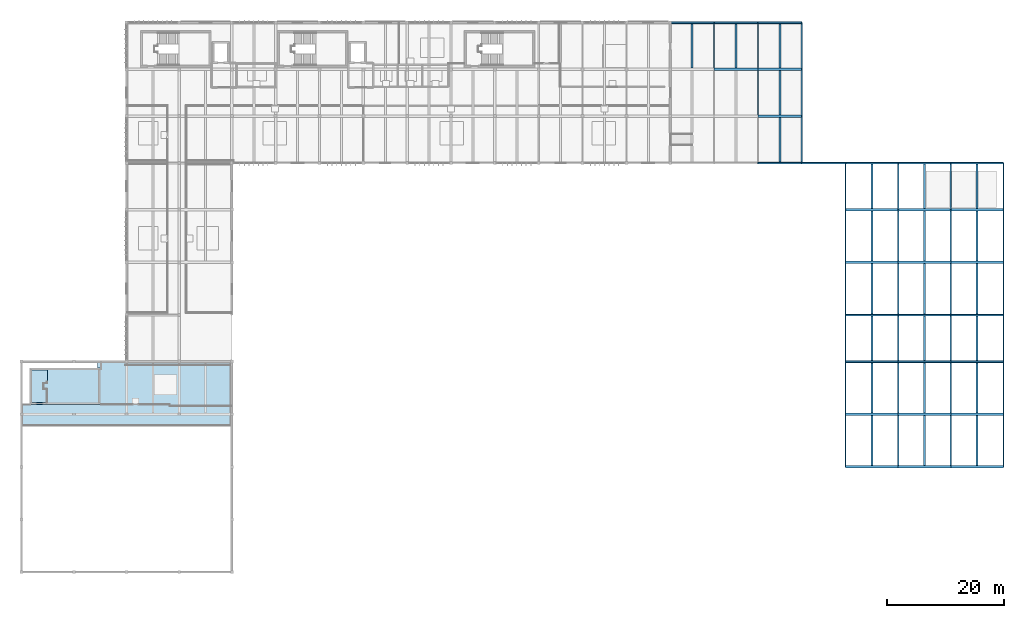
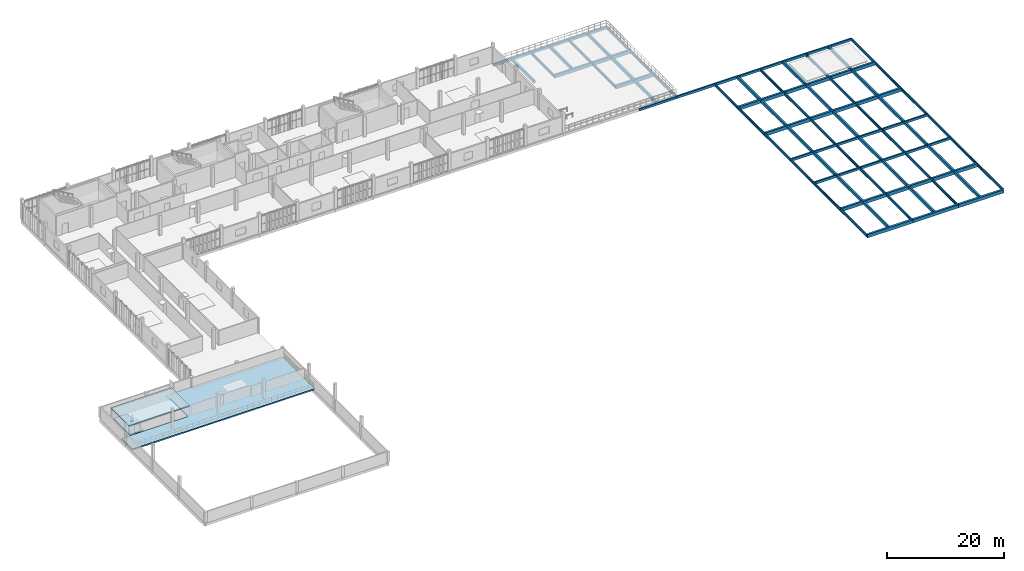
# One storey, part 14 of 27: 82 beams, 3 slabs.
"""IFC4 building model written with IfcOpenShell, lengths in metres."""

from ifc_helpers import new_model, si_unit, direction, frame, origin, origin_2d, place, context, subcontext, project, spatial, polyline, rectangle, i_section, outline, extrude, material, layer, layer_set, material_profile, profile_set, type_object, element, save


model = new_model("IFC4")

# Units and contexts
model_context = context("Model", 3, precision=1e-05, world=origin(), true_north=direction((0.0, 1.0)))
body_context = subcontext(model_context, "Body", "Model", "MODEL_VIEW")
ifc_project = project(units=[si_unit("LENGTHUNIT", "METRE"), si_unit("AREAUNIT", "SQUARE_METRE"), si_unit("VOLUMEUNIT", "CUBIC_METRE"), si_unit("PLANEANGLEUNIT", "RADIAN"), si_unit("MASSUNIT", "GRAM", prefix="KILO")], contexts=[model_context])

# Site, building, storey
site_placement = place(None, origin())
site = spatial("IfcSite", under=ifc_project, at=site_placement, CompositionType="ELEMENT")
building_placement = place(site_placement, origin())
building = spatial("IfcBuilding", under=site, at=building_placement, Name="Vourika Railside Aquatics Centre", CompositionType="ELEMENT")
storey_placement = place(building_placement, frame((0.0, 0.0, 13.5)))
storey = spatial("IfcBuildingStorey", under=building, at=storey_placement, Name="L03", CompositionType="ELEMENT", Elevation=13.5)

# Beams
ifc_material_1 = material(Name="Concrete C35/45", Category="concrete")
ifc_material_profile_1 = material_profile(ifc_material_1, rectangle(XDim=0.39990234375, YDim=0.699951171875, at=origin_2d()), Name="RC 400x700")
ifc_profile_set_1 = profile_set([ifc_material_profile_1], Name="Concrete C35/45")
beam_type_1 = type_object("IfcBeamType", Name="BM-GIRD-400x700", PredefinedType="BEAM", material=ifc_profile_set_1)
for number, where, z_axis, x_axis, name in (
    (1, (141.0, 40.0, -0.610107421875), (1.0, 0.0, 0.0), (0.0, 1.0, 0.0), "Floor Beam GX-L03-005"),
    (2, (150.0, 40.0, -0.610107421875), (1.0, 0.0, 0.0), (0.0, 1.0, 0.0), "Floor Beam GX-L03-006"),
    (3, (159.0, 40.0, -0.610107421875), (1.0, 0.0, 0.0), (0.0, 1.0, 0.0), "Floor Beam GX-L03-007"),
    (4, (141.0, 49.0, -0.610107421875), (1.0, 0.0, 0.0), (0.0, 1.0, 0.0), "Floor Beam GX-L03-012"),
    (5, (150.0, 49.0, -0.610107421875), (1.0, 0.0, 0.0), (0.0, 1.0, 0.0), "Floor Beam GX-L03-013"),
    (6, (159.0, 49.0, -0.610107421875), (1.0, 0.0, 0.0), (0.0, 1.0, 0.0), "Floor Beam GX-L03-014"),
    (7, (141.0, 75.0, -0.610107421875), (1.0, 0.0, 0.0), (0.0, 1.0, 0.0), "Floor Beam GX-L03-028"),
    (8, (150.0, 75.0, -0.610107421875), (1.0, 0.0, 0.0), (0.0, 1.0, 0.0), "Floor Beam GX-L03-029"),
    (9, (159.0, 75.0, -0.610107421875), (1.0, 0.0, 0.0), (0.0, 1.0, 0.0), "Floor Beam GX-L03-030"),
    (10, (141.0, 84.0, -0.610107421875), (1.0, 0.0, 0.0), (0.0, 1.0, 0.0), "Floor Beam GX-L03-033"),
    (11, (150.0, 84.0, -0.610107421875), (1.0, 0.0, 0.0), (0.0, 1.0, 0.0), "Floor Beam GX-L03-034"),
    (12, (159.0, 84.0, -0.610107421875), (1.0, 0.0, 0.0), (0.0, 1.0, 0.0), "Floor Beam GX-L03-035"),
):
    element("IfcBeam", number, at=place(storey_placement, frame(where, z_axis=z_axis, x_axis=x_axis)), inside=storey, type_object=beam_type_1, Name=name, PredefinedType="BEAM", context=body_context, shape_type="SweptSolid", body=[
        extrude(rectangle(XDim=0.39990234375, YDim=0.699951171875, at=origin_2d()), origin(), (0.0, 0.0, 1.0), 9.0),
    ])
for number, where, z_axis, x_axis, name in (
    (13, (126.0, 100.0, -0.6201171875), (1.0, 0.0, 0.0), (0.0, 1.0, 0.0), "Floor Beam GX-L03-069"),
    (14, (118.5, 108.0, -0.6201171875), (1.0, 0.0, 0.0), (0.0, 1.0, 0.0), "Floor Beam GX-L03-083"),
    (15, (126.0, 108.0, -0.6201171875), (1.0, 0.0, 0.0), (0.0, 1.0, 0.0), "Floor Beam GX-L03-084"),
):
    element("IfcBeam", number, at=place(storey_placement, frame(where, z_axis=z_axis, x_axis=x_axis)), inside=storey, type_object=beam_type_1, Name=name, PredefinedType="BEAM", context=body_context, shape_type="SweptSolid", body=[
        extrude(rectangle(XDim=0.39990234375, YDim=0.699951171875, at=origin_2d()), origin(), (0.0, 0.0, 1.0), 7.5),
    ])
ifc_material_profile_2 = material_profile(ifc_material_1, rectangle(XDim=0.35009765625, YDim=0.60009765625, at=origin_2d()), Name="RC 350x600")
ifc_profile_set_2 = profile_set([ifc_material_profile_2], Name="Concrete C35/45")
beam_type_2 = type_object("IfcBeamType", Name="BM-SEC-350x600", PredefinedType="JOIST", material=ifc_profile_set_2)
for number, where, z_axis, x_axis, name in (
    (16, (145.5, 40.199951171875, -0.56005859375), (0.0, 1.0, 0.0), (-1.0, 0.0, 0.0), "Secondary Joist JY-L03-188"),
    (17, (154.5, 40.199951171875, -0.56005859375), (0.0, 1.0, 0.0), (-1.0, 0.0, 0.0), "Secondary Joist JY-L03-189"),
    (18, (163.5, 40.199951171875, -0.56005859375), (0.0, 1.0, 0.0), (-1.0, 0.0, 0.0), "Secondary Joist JY-L03-190"),
):
    element("IfcBeam", number, at=place(storey_placement, frame(where, z_axis=z_axis, x_axis=x_axis)), inside=storey, type_object=beam_type_2, Name=name, PredefinedType="JOIST", context=body_context, shape_type="SweptSolid", body=[
        extrude(rectangle(XDim=0.35009765625, YDim=0.60009765625, at=origin_2d()), origin(), (0.0, 0.0, 1.0), 8.60009765625),
    ])
for number, where, z_axis, x_axis, name in (
    (19, (145.5, 49.199951171875, -0.56005859375), (0.0, 1.0, 0.0), (-1.0, 0.0, 0.0), "Secondary Joist JY-L03-193"),
    (20, (154.5, 49.199951171875, -0.56005859375), (0.0, 1.0, 0.0), (-1.0, 0.0, 0.0), "Secondary Joist JY-L03-194"),
    (21, (163.5, 49.199951171875, -0.56005859375), (0.0, 1.0, 0.0), (-1.0, 0.0, 0.0), "Secondary Joist JY-L03-195"),
):
    element("IfcBeam", number, at=place(storey_placement, frame(where, z_axis=z_axis, x_axis=x_axis)), inside=storey, type_object=beam_type_2, Name=name, PredefinedType="JOIST", context=body_context, shape_type="SweptSolid", body=[
        extrude(rectangle(XDim=0.35009765625, YDim=0.60009765625, at=origin_2d()), origin(), (0.0, 0.0, 1.0), 8.650146484375),
    ])
for number, where, z_axis, x_axis, name in (
    (22, (145.5, 58.14990234375, -0.56005859375), (0.0, 1.0, 0.0), (-1.0, 0.0, 0.0), "Secondary Joist JY-L03-197"),
    (23, (154.5, 58.14990234375, -0.56005859375), (0.0, 1.0, 0.0), (-1.0, 0.0, 0.0), "Secondary Joist JY-L03-198"),
    (24, (163.5, 58.14990234375, -0.56005859375), (0.0, 1.0, 0.0), (-1.0, 0.0, 0.0), "Secondary Joist JY-L03-199"),
):
    element("IfcBeam", number, at=place(storey_placement, frame(where, z_axis=z_axis, x_axis=x_axis)), inside=storey, type_object=beam_type_2, Name=name, PredefinedType="JOIST", context=body_context, shape_type="SweptSolid", body=[
        extrude(rectangle(XDim=0.35009765625, YDim=0.60009765625, at=origin_2d()), origin(), (0.0, 0.0, 1.0), 7.7001953125),
    ])
for number, where, z_axis, x_axis, name in (
    (25, (145.5, 66.14990234375, -0.56005859375), (0.0, 1.0, 0.0), (-1.0, 0.0, 0.0), "Secondary Joist JY-L03-201"),
    (26, (154.5, 66.14990234375, -0.56005859375), (0.0, 1.0, 0.0), (-1.0, 0.0, 0.0), "Secondary Joist JY-L03-202"),
    (27, (163.5, 66.14990234375, -0.56005859375), (0.0, 1.0, 0.0), (-1.0, 0.0, 0.0), "Secondary Joist JY-L03-203"),
):
    element("IfcBeam", number, at=place(storey_placement, frame(where, z_axis=z_axis, x_axis=x_axis)), inside=storey, type_object=beam_type_2, Name=name, PredefinedType="JOIST", context=body_context, shape_type="SweptSolid", body=[
        extrude(rectangle(XDim=0.35009765625, YDim=0.60009765625, at=origin_2d()), origin(), (0.0, 0.0, 1.0), 8.650146484375),
    ])
for number, where, z_axis, x_axis, name in (
    (28, (145.5, 75.199951171875, -0.56005859375), (0.0, 1.0, 0.0), (-1.0, 0.0, 0.0), "Secondary Joist JY-L03-206"),
    (29, (154.5, 75.199951171875, -0.56005859375), (0.0, 1.0, 0.0), (-1.0, 0.0, 0.0), "Secondary Joist JY-L03-207"),
    (30, (163.5, 75.199951171875, -0.56005859375), (0.0, 1.0, 0.0), (-1.0, 0.0, 0.0), "Secondary Joist JY-L03-208"),
):
    element("IfcBeam", number, at=place(storey_placement, frame(where, z_axis=z_axis, x_axis=x_axis)), inside=storey, type_object=beam_type_2, Name=name, PredefinedType="JOIST", context=body_context, shape_type="SweptSolid", body=[
        extrude(rectangle(XDim=0.35009765625, YDim=0.60009765625, at=origin_2d()), origin(), (0.0, 0.0, 1.0), 8.60009765625),
    ])
for number, where, z_axis, x_axis, name in (
    (31, (145.5, 84.199951171875, -0.56005859375), (0.0, 1.0, 0.0), (-1.0, 0.0, 0.0), "Secondary Joist JY-L03-211"),
    (32, (154.5, 84.199951171875, -0.56005859375), (0.0, 1.0, 0.0), (-1.0, 0.0, 0.0), "Secondary Joist JY-L03-212"),
    (33, (163.5, 84.199951171875, -0.56005859375), (0.0, 1.0, 0.0), (-1.0, 0.0, 0.0), "Secondary Joist JY-L03-213"),
    (34, (129.75, 92.14990234375, -0.570068359375), (0.0, 1.0, 0.0), (-1.0, 0.0, 0.0), "Secondary Joist JY-L03-228"),
):
    element("IfcBeam", number, at=place(storey_placement, frame(where, z_axis=z_axis, x_axis=x_axis)), inside=storey, type_object=beam_type_2, Name=name, PredefinedType="JOIST", context=body_context, shape_type="SweptSolid", body=[
        extrude(rectangle(XDim=0.35009765625, YDim=0.60009765625, at=origin_2d()), origin(), (0.0, 0.0, 1.0), 7.650146484375),
    ])
beam_1_placement = place(storey_placement, frame((129.75, 100.199951171875, -0.570068359375), z_axis=(0.0, 1.0, 0.0), x_axis=(-1.0, 0.0, 0.0)))
element("IfcBeam", 35, at=beam_1_placement, inside=storey, type_object=beam_type_2, Name="Secondary Joist JY-L03-243", PredefinedType="JOIST", context=body_context, shape_type="SweptSolid", body=[
    extrude(rectangle(XDim=0.35009765625, YDim=0.60009765625, at=origin_2d()), origin(), (0.0, 0.0, 1.0), 7.60009765625),
])
for number, where, z_axis, x_axis, name in (
    (36, (114.75, 108.199951171875, -0.570068359375), (0.0, 1.0, 0.0), (-1.0, 0.0, 0.0), "Secondary Joist JY-L03-250"),
    (37, (122.25, 108.199951171875, -0.570068359375), (0.0, 1.0, 0.0), (-1.0, 0.0, 0.0), "Secondary Joist JY-L03-251"),
    (38, (129.75, 108.199951171875, -0.570068359375), (0.0, 1.0, 0.0), (-1.0, 0.0, 0.0), "Secondary Joist JY-L03-252"),
):
    element("IfcBeam", number, at=place(storey_placement, frame(where, z_axis=z_axis, x_axis=x_axis)), inside=storey, type_object=beam_type_2, Name=name, PredefinedType="JOIST", context=body_context, shape_type="SweptSolid", body=[
        extrude(rectangle(XDim=0.35009765625, YDim=0.60009765625, at=origin_2d()), origin(), (0.0, 0.0, 1.0), 7.650146484375),
    ])
ifc_material_profile_3 = material_profile(ifc_material_1, rectangle(XDim=0.300048828125, YDim=0.5, at=origin_2d()), Name="RC 300x500")
ifc_profile_set_3 = profile_set([ifc_material_profile_3], Name="Concrete C35/45")
beam_type_3 = type_object("IfcBeamType", Name="BM-SPAN-300x500", PredefinedType="SPANDREL", material=ifc_profile_set_3)
for number, where, z_axis, x_axis, name in (
    (39, (141.0, 58.0, -0.510009765625), (1.0, 0.0, 0.0), (0.0, 1.0, 0.0), "Floor Beam GX-L03-019"),
    (40, (150.0, 58.0, -0.510009765625), (1.0, 0.0, 0.0), (0.0, 1.0, 0.0), "Floor Beam GX-L03-020"),
    (41, (159.0, 58.0, -0.510009765625), (1.0, 0.0, 0.0), (0.0, 1.0, 0.0), "Floor Beam GX-L03-021"),
    (42, (141.0, 66.0, -0.510009765625), (1.0, 0.0, 0.0), (0.0, 1.0, 0.0), "Floor Beam GX-L03-023"),
    (43, (150.0, 66.0, -0.510009765625), (1.0, 0.0, 0.0), (0.0, 1.0, 0.0), "Floor Beam GX-L03-024"),
    (44, (159.0, 66.0, -0.510009765625), (1.0, 0.0, 0.0), (0.0, 1.0, 0.0), "Floor Beam GX-L03-025"),
):
    element("IfcBeam", number, at=place(storey_placement, frame(where, z_axis=z_axis, x_axis=x_axis)), inside=storey, type_object=beam_type_3, Name=name, PredefinedType="SPANDREL", context=body_context, shape_type="SweptSolid", body=[
        extrude(rectangle(XDim=0.300048828125, YDim=0.5, at=origin_2d()), origin(), (0.0, 0.0, 1.0), 9.0),
    ])
for number, where, z_axis, x_axis, name in (
    (45, (126.0, 92.0, -0.52001953125), (1.0, 0.0, 0.0), (0.0, 1.0, 0.0), "Floor Beam GX-L03-050"),
    (46, (133.5, 92.0, -0.52001953125), (1.0, 0.0, 0.0), (0.0, 1.0, 0.0), "Floor Beam GX-L03-051"),
):
    element("IfcBeam", number, at=place(storey_placement, frame(where, z_axis=z_axis, x_axis=x_axis)), inside=storey, type_object=beam_type_3, Name=name, PredefinedType="SPANDREL", context=body_context, shape_type="SweptSolid", body=[
        extrude(rectangle(XDim=0.300048828125, YDim=0.5, at=origin_2d()), origin(), (0.0, 0.0, 1.0), 7.5),
    ])
for number, where, z_axis, x_axis, name in (
    (47, (141.0, 92.0, -0.510009765625), (1.0, 0.0, 0.0), (0.0, 1.0, 0.0), "Floor Beam GX-L03-052"),
    (48, (150.0, 92.0, -0.510009765625), (1.0, 0.0, 0.0), (0.0, 1.0, 0.0), "Floor Beam GX-L03-053"),
    (49, (159.0, 92.0, -0.510009765625), (1.0, 0.0, 0.0), (0.0, 1.0, 0.0), "Floor Beam GX-L03-054"),
):
    element("IfcBeam", number, at=place(storey_placement, frame(where, z_axis=z_axis, x_axis=x_axis)), inside=storey, type_object=beam_type_3, Name=name, PredefinedType="SPANDREL", context=body_context, shape_type="SweptSolid", body=[
        extrude(rectangle(XDim=0.300048828125, YDim=0.5, at=origin_2d()), origin(), (0.0, 0.0, 1.0), 9.0),
    ])
for number, where, z_axis, x_axis, name in (
    (50, (111.0, 116.0, -0.52001953125), (1.0, 0.0, 0.0), (0.0, 1.0, 0.0), "Floor Beam GX-L03-097"),
    (51, (118.5, 116.0, -0.52001953125), (1.0, 0.0, 0.0), (0.0, 1.0, 0.0), "Floor Beam GX-L03-098"),
    (52, (126.0, 116.0, -0.52001953125), (1.0, 0.0, 0.0), (0.0, 1.0, 0.0), "Floor Beam GX-L03-099"),
):
    element("IfcBeam", number, at=place(storey_placement, frame(where, z_axis=z_axis, x_axis=x_axis)), inside=storey, type_object=beam_type_3, Name=name, PredefinedType="SPANDREL", context=body_context, shape_type="SweptSolid", body=[
        extrude(rectangle(XDim=0.300048828125, YDim=0.5, at=origin_2d()), origin(), (0.0, 0.0, 1.0), 7.5),
    ])
ifc_material_2 = material(Name="Steel S355J2", Category="steel")
ifc_material_profile_4 = material_profile(ifc_material_2, i_section(OverallWidth=0.2099609375, OverallDepth=0.550048828125, WebThickness=0.010986328125, FlangeThickness=0.01708984375, at=origin_2d()), Name="IPE 550")
ifc_profile_set_4 = profile_set([ifc_material_profile_4], Name="Steel S355J2")
beam_type_4 = type_object("IfcBeamType", Name="BM-STL-IPE550", PredefinedType="BEAM", material=ifc_profile_set_4)
for number, where, z_axis, x_axis, name in (
    (53, (118.5, 108.0, -0.544921875), (0.0, 1.0, 0.0), (-1.0, 0.0, 0.0), "Floor Girder GY-L03-157"),
    (54, (126.0, 100.0, -0.544921875), (0.0, 1.0, 0.0), (-1.0, 0.0, 0.0), "Floor Girder GY-L03-159"),
    (55, (126.0, 108.0, -0.544921875), (0.0, 1.0, 0.0), (-1.0, 0.0, 0.0), "Floor Girder GY-L03-160"),
    (56, (133.5, 92.0, -0.544921875), (0.0, 1.0, 0.0), (-1.0, 0.0, 0.0), "Floor Girder GY-L03-161"),
    (57, (133.5, 100.0, -0.544921875), (0.0, 1.0, 0.0), (-1.0, 0.0, 0.0), "Floor Girder GY-L03-162"),
    (58, (133.5, 108.0, -0.544921875), (0.0, 1.0, 0.0), (-1.0, 0.0, 0.0), "Floor Girder GY-L03-163"),
):
    element("IfcBeam", number, at=place(storey_placement, frame(where, z_axis=z_axis, x_axis=x_axis)), inside=storey, type_object=beam_type_4, Name=name, PredefinedType="BEAM", context=body_context, shape_type="SweptSolid", body=[
        extrude(i_section(OverallWidth=0.2099609375, OverallDepth=0.550048828125, WebThickness=0.010986328125, FlangeThickness=0.01708984375, at=origin_2d()), origin(), (0.0, 0.0, 1.0), 8.0),
    ])
for number, where, z_axis, x_axis, name in (
    (59, (141.0, 40.0, -0.534912109375), (0.0, 1.0, 0.0), (-1.0, 0.0, 0.0), "Floor Girder GY-L03-164"),
    (60, (141.0, 49.0, -0.534912109375), (0.0, 1.0, 0.0), (-1.0, 0.0, 0.0), "Floor Girder GY-L03-165"),
):
    element("IfcBeam", number, at=place(storey_placement, frame(where, z_axis=z_axis, x_axis=x_axis)), inside=storey, type_object=beam_type_4, Name=name, PredefinedType="BEAM", context=body_context, shape_type="SweptSolid", body=[
        extrude(i_section(OverallWidth=0.2099609375, OverallDepth=0.550048828125, WebThickness=0.010986328125, FlangeThickness=0.01708984375, at=origin_2d()), origin(), (0.0, 0.0, 1.0), 9.0),
    ])
beam_2_placement = place(storey_placement, frame((141.0, 58.0, -0.534912109375), z_axis=(0.0, 1.0, 0.0), x_axis=(-1.0, 0.0, 0.0)))
element("IfcBeam", 61, at=beam_2_placement, inside=storey, type_object=beam_type_4, Name="Floor Girder GY-L03-166", PredefinedType="BEAM", context=body_context, shape_type="SweptSolid", body=[
    extrude(i_section(OverallWidth=0.2099609375, OverallDepth=0.550048828125, WebThickness=0.010986328125, FlangeThickness=0.01708984375, at=origin_2d()), origin(), (0.0, 0.0, 1.0), 8.0),
])
for number, where, z_axis, x_axis, name in (
    (62, (141.0, 66.0, -0.534912109375), (0.0, 1.0, 0.0), (-1.0, 0.0, 0.0), "Floor Girder GY-L03-167"),
    (63, (141.0, 75.0, -0.534912109375), (0.0, 1.0, 0.0), (-1.0, 0.0, 0.0), "Floor Girder GY-L03-168"),
):
    element("IfcBeam", number, at=place(storey_placement, frame(where, z_axis=z_axis, x_axis=x_axis)), inside=storey, type_object=beam_type_4, Name=name, PredefinedType="BEAM", context=body_context, shape_type="SweptSolid", body=[
        extrude(i_section(OverallWidth=0.2099609375, OverallDepth=0.550048828125, WebThickness=0.010986328125, FlangeThickness=0.01708984375, at=origin_2d()), origin(), (0.0, 0.0, 1.0), 9.0),
    ])
beam_3_placement = place(storey_placement, frame((141.0, 84.0, -0.534912109375), z_axis=(0.0, 1.0, 0.0), x_axis=(-1.0, 0.0, 0.0)))
element("IfcBeam", 64, at=beam_3_placement, inside=storey, type_object=beam_type_4, Name="Floor Girder GY-L03-169", PredefinedType="BEAM", context=body_context, shape_type="SweptSolid", body=[
    extrude(i_section(OverallWidth=0.2099609375, OverallDepth=0.550048828125, WebThickness=0.010986328125, FlangeThickness=0.01708984375, at=origin_2d()), origin(), (0.0, 0.0, 1.0), 8.0),
])
for number, where, z_axis, x_axis, name in (
    (65, (150.0, 40.0, -0.534912109375), (0.0, 1.0, 0.0), (-1.0, 0.0, 0.0), "Floor Girder GY-L03-170"),
    (66, (150.0, 49.0, -0.534912109375), (0.0, 1.0, 0.0), (-1.0, 0.0, 0.0), "Floor Girder GY-L03-171"),
):
    element("IfcBeam", number, at=place(storey_placement, frame(where, z_axis=z_axis, x_axis=x_axis)), inside=storey, type_object=beam_type_4, Name=name, PredefinedType="BEAM", context=body_context, shape_type="SweptSolid", body=[
        extrude(i_section(OverallWidth=0.2099609375, OverallDepth=0.550048828125, WebThickness=0.010986328125, FlangeThickness=0.01708984375, at=origin_2d()), origin(), (0.0, 0.0, 1.0), 9.0),
    ])
beam_4_placement = place(storey_placement, frame((150.0, 58.0, -0.534912109375), z_axis=(0.0, 1.0, 0.0), x_axis=(-1.0, 0.0, 0.0)))
element("IfcBeam", 67, at=beam_4_placement, inside=storey, type_object=beam_type_4, Name="Floor Girder GY-L03-172", PredefinedType="BEAM", context=body_context, shape_type="SweptSolid", body=[
    extrude(i_section(OverallWidth=0.2099609375, OverallDepth=0.550048828125, WebThickness=0.010986328125, FlangeThickness=0.01708984375, at=origin_2d()), origin(), (0.0, 0.0, 1.0), 8.0),
])
for number, where, z_axis, x_axis, name in (
    (68, (150.0, 66.0, -0.534912109375), (0.0, 1.0, 0.0), (-1.0, 0.0, 0.0), "Floor Girder GY-L03-173"),
    (69, (150.0, 75.0, -0.534912109375), (0.0, 1.0, 0.0), (-1.0, 0.0, 0.0), "Floor Girder GY-L03-174"),
):
    element("IfcBeam", number, at=place(storey_placement, frame(where, z_axis=z_axis, x_axis=x_axis)), inside=storey, type_object=beam_type_4, Name=name, PredefinedType="BEAM", context=body_context, shape_type="SweptSolid", body=[
        extrude(i_section(OverallWidth=0.2099609375, OverallDepth=0.550048828125, WebThickness=0.010986328125, FlangeThickness=0.01708984375, at=origin_2d()), origin(), (0.0, 0.0, 1.0), 9.0),
    ])
beam_5_placement = place(storey_placement, frame((150.0, 84.0, -0.534912109375), z_axis=(0.0, 1.0, 0.0), x_axis=(-1.0, 0.0, 0.0)))
element("IfcBeam", 70, at=beam_5_placement, inside=storey, type_object=beam_type_4, Name="Floor Girder GY-L03-175", PredefinedType="BEAM", context=body_context, shape_type="SweptSolid", body=[
    extrude(i_section(OverallWidth=0.2099609375, OverallDepth=0.550048828125, WebThickness=0.010986328125, FlangeThickness=0.01708984375, at=origin_2d()), origin(), (0.0, 0.0, 1.0), 8.0),
])
for number, where, z_axis, x_axis, name in (
    (71, (159.0, 40.0, -0.534912109375), (0.0, 1.0, 0.0), (-1.0, 0.0, 0.0), "Floor Girder GY-L03-176"),
    (72, (159.0, 49.0, -0.534912109375), (0.0, 1.0, 0.0), (-1.0, 0.0, 0.0), "Floor Girder GY-L03-177"),
):
    element("IfcBeam", number, at=place(storey_placement, frame(where, z_axis=z_axis, x_axis=x_axis)), inside=storey, type_object=beam_type_4, Name=name, PredefinedType="BEAM", context=body_context, shape_type="SweptSolid", body=[
        extrude(i_section(OverallWidth=0.2099609375, OverallDepth=0.550048828125, WebThickness=0.010986328125, FlangeThickness=0.01708984375, at=origin_2d()), origin(), (0.0, 0.0, 1.0), 9.0),
    ])
beam_6_placement = place(storey_placement, frame((159.0, 58.0, -0.534912109375), z_axis=(0.0, 1.0, 0.0), x_axis=(-1.0, 0.0, 0.0)))
element("IfcBeam", 73, at=beam_6_placement, inside=storey, type_object=beam_type_4, Name="Floor Girder GY-L03-178", PredefinedType="BEAM", context=body_context, shape_type="SweptSolid", body=[
    extrude(i_section(OverallWidth=0.2099609375, OverallDepth=0.550048828125, WebThickness=0.010986328125, FlangeThickness=0.01708984375, at=origin_2d()), origin(), (0.0, 0.0, 1.0), 8.0),
])
for number, where, z_axis, x_axis, name in (
    (74, (159.0, 66.0, -0.534912109375), (0.0, 1.0, 0.0), (-1.0, 0.0, 0.0), "Floor Girder GY-L03-179"),
    (75, (159.0, 75.0, -0.534912109375), (0.0, 1.0, 0.0), (-1.0, 0.0, 0.0), "Floor Girder GY-L03-180"),
):
    element("IfcBeam", number, at=place(storey_placement, frame(where, z_axis=z_axis, x_axis=x_axis)), inside=storey, type_object=beam_type_4, Name=name, PredefinedType="BEAM", context=body_context, shape_type="SweptSolid", body=[
        extrude(i_section(OverallWidth=0.2099609375, OverallDepth=0.550048828125, WebThickness=0.010986328125, FlangeThickness=0.01708984375, at=origin_2d()), origin(), (0.0, 0.0, 1.0), 9.0),
    ])
beam_7_placement = place(storey_placement, frame((159.0, 84.0, -0.534912109375), z_axis=(0.0, 1.0, 0.0), x_axis=(-1.0, 0.0, 0.0)))
element("IfcBeam", 76, at=beam_7_placement, inside=storey, type_object=beam_type_4, Name="Floor Girder GY-L03-181", PredefinedType="BEAM", context=body_context, shape_type="SweptSolid", body=[
    extrude(i_section(OverallWidth=0.2099609375, OverallDepth=0.550048828125, WebThickness=0.010986328125, FlangeThickness=0.01708984375, at=origin_2d()), origin(), (0.0, 0.0, 1.0), 8.0),
])
for number, where, z_axis, x_axis, name in (
    (77, (168.0, 40.0, -0.534912109375), (0.0, 1.0, 0.0), (-1.0, 0.0, 0.0), "Floor Girder GY-L03-182"),
    (78, (168.0, 49.0, -0.534912109375), (0.0, 1.0, 0.0), (-1.0, 0.0, 0.0), "Floor Girder GY-L03-183"),
):
    element("IfcBeam", number, at=place(storey_placement, frame(where, z_axis=z_axis, x_axis=x_axis)), inside=storey, type_object=beam_type_4, Name=name, PredefinedType="BEAM", context=body_context, shape_type="SweptSolid", body=[
        extrude(i_section(OverallWidth=0.2099609375, OverallDepth=0.550048828125, WebThickness=0.010986328125, FlangeThickness=0.01708984375, at=origin_2d()), origin(), (0.0, 0.0, 1.0), 9.0),
    ])
beam_8_placement = place(storey_placement, frame((168.0, 58.0, -0.534912109375), z_axis=(0.0, 1.0, 0.0), x_axis=(-1.0, 0.0, 0.0)))
element("IfcBeam", 79, at=beam_8_placement, inside=storey, type_object=beam_type_4, Name="Floor Girder GY-L03-184", PredefinedType="BEAM", context=body_context, shape_type="SweptSolid", body=[
    extrude(i_section(OverallWidth=0.2099609375, OverallDepth=0.550048828125, WebThickness=0.010986328125, FlangeThickness=0.01708984375, at=origin_2d()), origin(), (0.0, 0.0, 1.0), 8.0),
])
for number, where, z_axis, x_axis, name in (
    (80, (168.0, 66.0, -0.534912109375), (0.0, 1.0, 0.0), (-1.0, 0.0, 0.0), "Floor Girder GY-L03-185"),
    (81, (168.0, 75.0, -0.534912109375), (0.0, 1.0, 0.0), (-1.0, 0.0, 0.0), "Floor Girder GY-L03-186"),
):
    element("IfcBeam", number, at=place(storey_placement, frame(where, z_axis=z_axis, x_axis=x_axis)), inside=storey, type_object=beam_type_4, Name=name, PredefinedType="BEAM", context=body_context, shape_type="SweptSolid", body=[
        extrude(i_section(OverallWidth=0.2099609375, OverallDepth=0.550048828125, WebThickness=0.010986328125, FlangeThickness=0.01708984375, at=origin_2d()), origin(), (0.0, 0.0, 1.0), 9.0),
    ])
beam_9_placement = place(storey_placement, frame((168.0, 84.0, -0.534912109375), z_axis=(0.0, 1.0, 0.0), x_axis=(-1.0, 0.0, 0.0)))
element("IfcBeam", 82, at=beam_9_placement, inside=storey, type_object=beam_type_4, Name="Floor Girder GY-L03-187", PredefinedType="BEAM", context=body_context, shape_type="SweptSolid", body=[
    extrude(i_section(OverallWidth=0.2099609375, OverallDepth=0.550048828125, WebThickness=0.010986328125, FlangeThickness=0.01708984375, at=origin_2d()), origin(), (0.0, 0.0, 1.0), 8.0),
])

# Slabs
ifc_layer_1 = layer(ifc_material_1, 0.31005859375, Name="SLB-CORE-310")
ifc_layer_set_1 = layer_set([ifc_layer_1], Name="Concrete C35/45")
slab_type_1 = type_object("IfcSlabType", Name="SLB-CORE-310", PredefinedType="FLOOR", material=ifc_layer_set_1)
slab_1_placement = place(storey_placement, frame((0.0, 0.0, -0.31005859375)))
element("IfcSlab", 83, at=slab_1_placement, inside=storey, type_object=slab_type_1, Name="Protected Exit Stair Core ST04 Core Floor Landing (L03)", PredefinedType="FLOOR", context=body_context, shape_type="SweptSolid", body=[
    extrude(outline(polyline([(1.75, 51.0), (4.489990234375, 51.0), (4.489990234375, 53.25), (3.800048828125, 53.25), (3.800048828125, 54.35009765625), (4.489990234375, 54.35009765625), (4.489990234375, 56.60009765625), (1.75, 56.60009765625), (1.75, 51.0)])), origin(), (0.0, 0.0, 1.0), 0.31005859375),
])
ifc_layer_2 = layer(ifc_material_1, 0.260009765625, Name="SLB-FLOOR-260")
ifc_layer_set_2 = layer_set([ifc_layer_2], Name="Concrete C35/45")
slab_type_2 = type_object("IfcSlabType", Name="SLB-FLOOR-260", PredefinedType="FLOOR", material=ifc_layer_set_2)
slab_2_placement = place(storey_placement, frame((0.0, 0.0, -0.260009765625)))
element("IfcSlab", 84, at=slab_2_placement, inside=storey, type_object=slab_type_2, Name="L03 Floor Slab (v2_ctrl_l03)", PredefinedType="FLOOR", context=body_context, shape_type="SweptSolid", body=[
    extrude(outline(polyline([(0.0, 50.699951171875), (13.0, 50.699951171875), (13.0, 51.0), (13.14990234375, 51.0), (13.14990234375, 56.60009765625), (13.0, 56.60009765625), (13.0, 58.0), (36.0, 58.0), (36.0, 47.0), (13.5, 47.0), (13.0, 47.0), (0.0, 47.0), (0.0, 50.699951171875)])), origin(), (0.0, 0.0, 1.0), 0.260009765625),
])
ifc_layer_3 = layer(ifc_material_1, 0.22998046875, Name="SLB-ROOF-EAV230")
ifc_layer_set_3 = layer_set([ifc_layer_3], Name="Concrete C35/45")
slab_type_3 = type_object("IfcSlabType", Name="SLB-ROOF-EAV230", PredefinedType="ROOF", material=ifc_layer_set_3)
slab_3_placement = place(storey_placement, frame((0.0, 0.0, 1.889892578125)))
element("IfcSlab", 85, at=slab_3_placement, inside=storey, type_object=slab_type_3, Name="Protected Exit Stair Core ST04 Shaft Roof Slab", PredefinedType="ROOF", context=body_context, shape_type="SweptSolid", body=[
    extrude(outline(polyline([(1.449951171875, 50.699951171875), (13.449951171875, 50.699951171875), (13.449951171875, 56.89990234375), (1.449951171875, 56.89990234375), (1.449951171875, 50.699951171875)])), origin(), (0.0, 0.0, 1.0), 0.230224609375),
])

save(model, "model.ifc")
